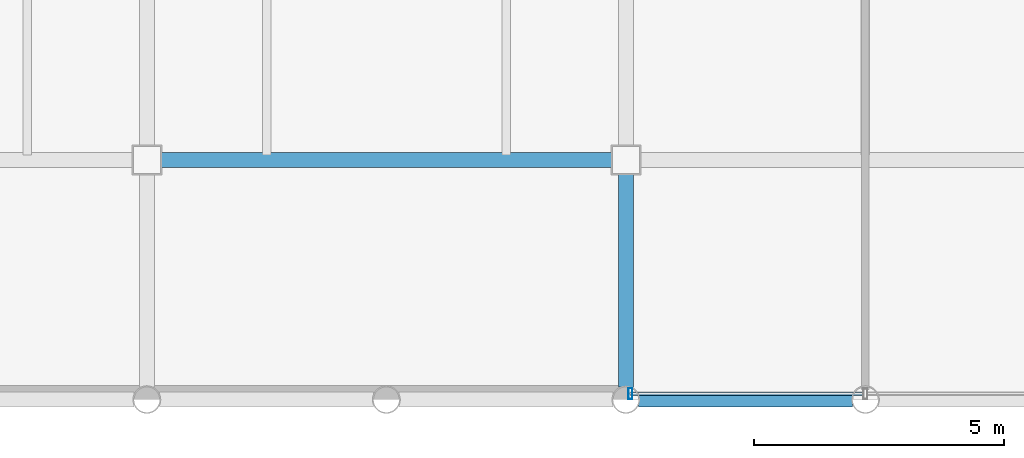
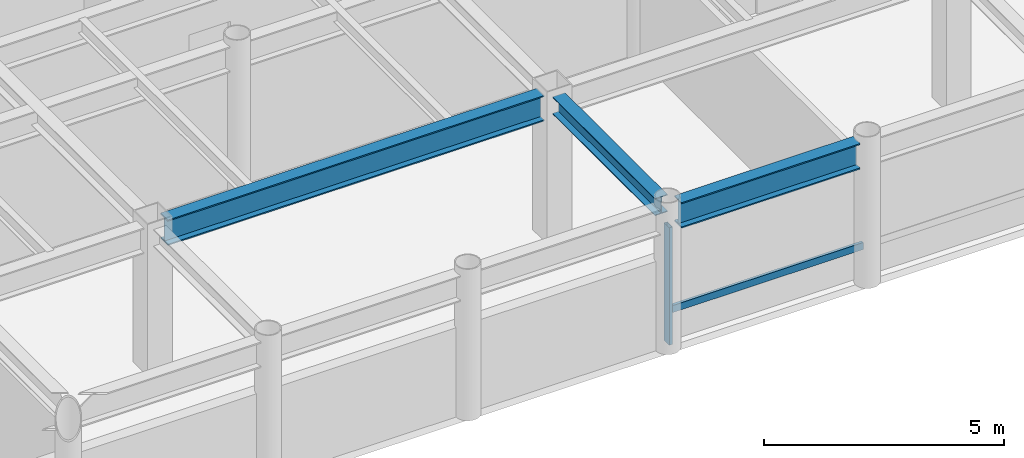
# One storey, part 4 of 21: 3 beams, 2 members, 1 element without a shape of its own.
"""IFC4 building model written with IfcOpenShell, lengths in metres."""

from ifc_helpers import new_model, si_unit, direction, frame, origin, origin_2d, place, context, subcontext, project, spatial, hollow_rectangle, i_section, extrude, material, layer, layer_set, material_profile, profile_set, type_object, element, aggregate, save


model = new_model("IFC4")

# Units and contexts
model_context = context("Model", 3, precision=1e-05, world=origin(), true_north=direction((0.0, 1.0)))
body_context = subcontext(model_context, "Body", "Model", "MODEL_VIEW")
ifc_project = project(units=[si_unit("LENGTHUNIT", "METRE"), si_unit("AREAUNIT", "SQUARE_METRE"), si_unit("VOLUMEUNIT", "CUBIC_METRE"), si_unit("PLANEANGLEUNIT", "RADIAN"), si_unit("MASSUNIT", "GRAM", prefix="KILO")], contexts=[model_context])

# Site, building, storey
site_placement = place(None, origin())
site = spatial("IfcSite", under=ifc_project, at=site_placement, CompositionType="ELEMENT")
building_placement = place(site_placement, origin())
building = spatial("IfcBuilding", under=site, at=building_placement, Name="Kallvorn Hotel Tower", CompositionType="ELEMENT")
storey_placement = place(building_placement, frame((0.0, 0.0, 268.5)))
storey = spatial("IfcBuildingStorey", under=building, at=storey_placement, Name="L67", CompositionType="ELEMENT", Elevation=268.5)

# Beams
ifc_material_1 = material(Name="Structural steel S355JR", Category="steel")
ifc_material_profile_1 = material_profile(ifc_material_1, i_section(OverallWidth=0.300048828125, OverallDepth=0.43994140625, WebThickness=0.011474609375, FlangeThickness=0.02099609375, at=origin_2d()), Name="HE 450 A")
ifc_profile_set_1 = profile_set([ifc_material_profile_1], Name="Structural steel S355JR")
beam_type_1 = type_object("IfcBeamType", Name="BM_HE450A", PredefinedType="BEAM", material=ifc_profile_set_1)
beam_1_placement = place(storey_placement, frame((-4.800048828125, -18.945556640625, 3.449951171875), z_axis=(0.0, 1.0, 0.0), x_axis=(-1.0, 0.0, 0.0)))
element("IfcBeam", 1, at=beam_1_placement, inside=storey, type_object=beam_type_1, Name="L68 Primary Y-Girder 106", PredefinedType="BEAM", context=body_context, shape_type="SweptSolid", body=[
    extrude(i_section(OverallWidth=0.300048828125, OverallDepth=0.43994140625, WebThickness=0.011474609375, FlangeThickness=0.02099609375, at=origin_2d()), origin(), (0.0, 0.0, 1.0), 4.2705078125),
])
ifc_material_2 = material(Name="Structural steel S355JR", Category="steel")
ifc_material_profile_2 = material_profile(ifc_material_2, i_section(OverallWidth=0.300048828125, OverallDepth=0.64990234375, WebThickness=0.01611328125, FlangeThickness=0.031005859375, at=origin_2d()), Name="HE 650 B")
ifc_profile_set_2 = profile_set([ifc_material_profile_2], Name="Structural steel S355JR")
beam_type_2 = type_object("IfcBeamType", Name="BM_HE650B", PredefinedType="BEAM", material=ifc_profile_set_2)
beam_2_placement = place(storey_placement, frame((-4.54541015625, -19.199951171875, 3.344970703125), z_axis=(1.0, 0.0, 0.0), x_axis=(0.0, 1.0, 0.0)))
element("IfcBeam", 2, at=beam_2_placement, inside=storey, type_object=beam_type_2, Name="L68 Primary X-Girder 06", PredefinedType="BEAM", context=body_context, shape_type="SweptSolid", body=[
    extrude(i_section(OverallWidth=0.300048828125, OverallDepth=0.64990234375, WebThickness=0.01611328125, FlangeThickness=0.031005859375, at=origin_2d()), origin(), (0.0, 0.0, 1.0), 4.291015625),
])
beam_3_placement = place(storey_placement, frame((-14.125, -14.39990234375, 3.344970703125), z_axis=(1.0, 0.0, 0.0), x_axis=(0.0, 1.0, 0.0)))
element("IfcBeam", 3, at=beam_3_placement, inside=storey, type_object=beam_type_2, Name="L68 Primary X-Girder 17", PredefinedType="BEAM", context=body_context, shape_type="SweptSolid", body=[
    extrude(i_section(OverallWidth=0.300048828125, OverallDepth=0.64990234375, WebThickness=0.01611328125, FlangeThickness=0.031005859375, at=origin_2d()), origin(), (0.0, 0.0, 1.0), 9.050048828125),
])

# Curtain wall, members
ifc_material_3 = material(Name="Thermally broken black-anodised aluminium AA 6063-T6", Category="aluminium")
ifc_layer = layer(ifc_material_3, 0.22998046875)
ifc_layer_set = layer_set([ifc_layer], Name="CW_SYS_5_HOTEL_HIGH")
curtain_wall_type = type_object("IfcCurtainWallType", Name="CW_SYS_5_HOTEL_HIGH", PredefinedType="USERDEFINED", material=ifc_layer_set)
curtain_wall_placement = place(storey_placement, origin())
curtain_wall = element("IfcCurtainWall", 4, at=curtain_wall_placement, inside=storey, type_object=curtain_wall_type, Name="L67 Dark-Glass Curtain Wall CW-L67-SC", ObjectType="UNITISED CURTAIN WALL", PredefinedType="USERDEFINED")
ifc_material_4 = material(Name="Thermally broken black-anodised aluminium AA 6063-T6", Category="aluminium")
ifc_material_profile_3 = material_profile(ifc_material_4, hollow_rectangle(XDim=0.080078125, YDim=0.219970703125, WallThickness=0.0048828125, at=origin_2d()), Name="MUL 220x80")
ifc_profile_set_3 = profile_set([ifc_material_profile_3], Name="Thermally broken black-anodised aluminium AA 6063-T6")
member_type_1 = type_object("IfcMemberType", Name="CW_MULLION_220x80", PredefinedType="MULLION", material=ifc_profile_set_3)
member_1_placement = place(storey_placement, frame((-4.7099609375, -19.080078125, 0.02001953125), z_axis=(0.0, 0.0, 1.0), x_axis=(1.0, 0.0, 0.0)))
member_1 = element("IfcMember", 5, at=member_1_placement, type_object=member_type_1, Name="CW-L67-SC Mullion 00", PredefinedType="MULLION", context=body_context, shape_type="SweptSolid", body=[
    extrude(hollow_rectangle(XDim=0.080078125, YDim=0.219970703125, WallThickness=0.0048828125, at=origin_2d()), origin(), (0.0, 0.0, 1.0), 2.97998046875),
])
ifc_material_5 = material(Name="Thermally broken black-anodised aluminium AA 6063-T6", Category="aluminium")
ifc_material_profile_4 = material_profile(ifc_material_5, hollow_rectangle(XDim=0.070068359375, YDim=0.179931640625, WallThickness=0.00390625, at=origin_2d()), Name="TRN 180x70")
ifc_profile_set_4 = profile_set([ifc_material_profile_4], Name="Thermally broken black-anodised aluminium AA 6063-T6")
member_type_2 = type_object("IfcMemberType", Name="CW_TRANSOM_180x70", PredefinedType="USERDEFINED", material=ifc_profile_set_4)
member_2_placement = place(storey_placement, frame((-4.7099609375, -19.080078125, 0.85009765625), z_axis=(1.0, 0.0, 0.0), x_axis=(0.0, 1.0, 0.0)))
member_2 = element("IfcMember", 6, at=member_2_placement, type_object=member_type_2, Name="CW-L67-SC Transom 00M", ObjectType="TRANSOM", PredefinedType="USERDEFINED", context=body_context, shape_type="SweptSolid", body=[
    extrude(hollow_rectangle(XDim=0.070068359375, YDim=0.179931640625, WallThickness=0.00390625, at=origin_2d()), origin(), (0.0, 0.0, 1.0), 4.669921875),
])
aggregate(curtain_wall, [member_1, member_2])

save(model, "model.ifc")
